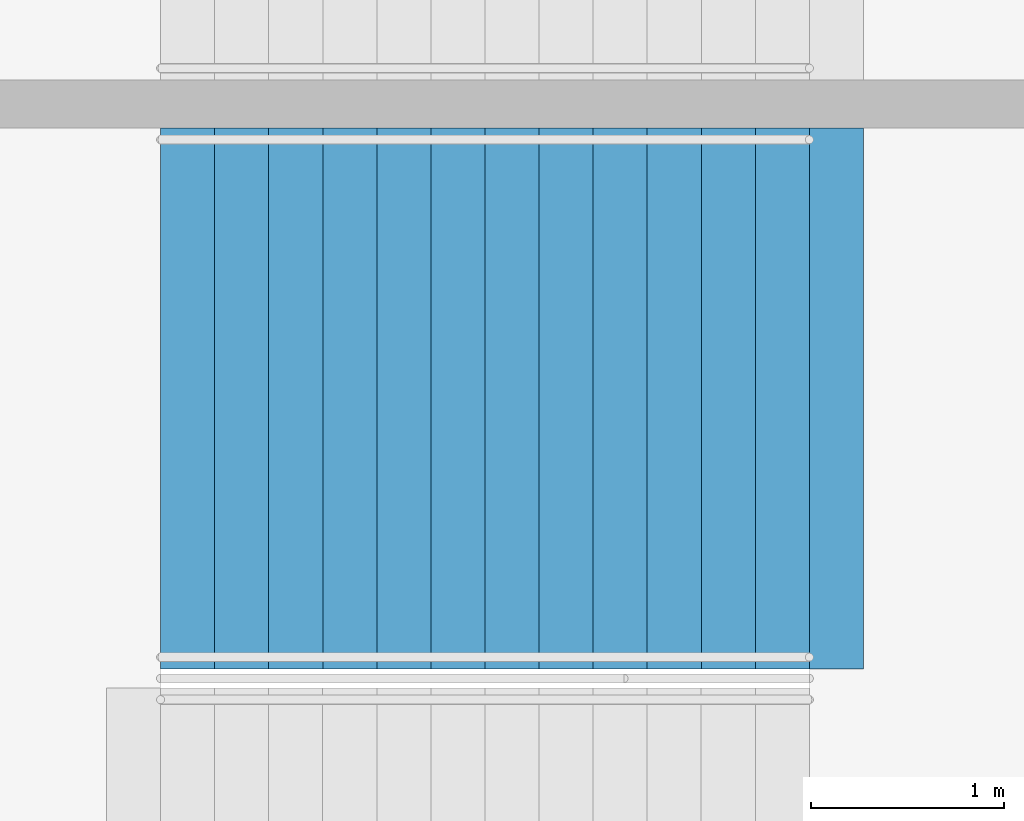
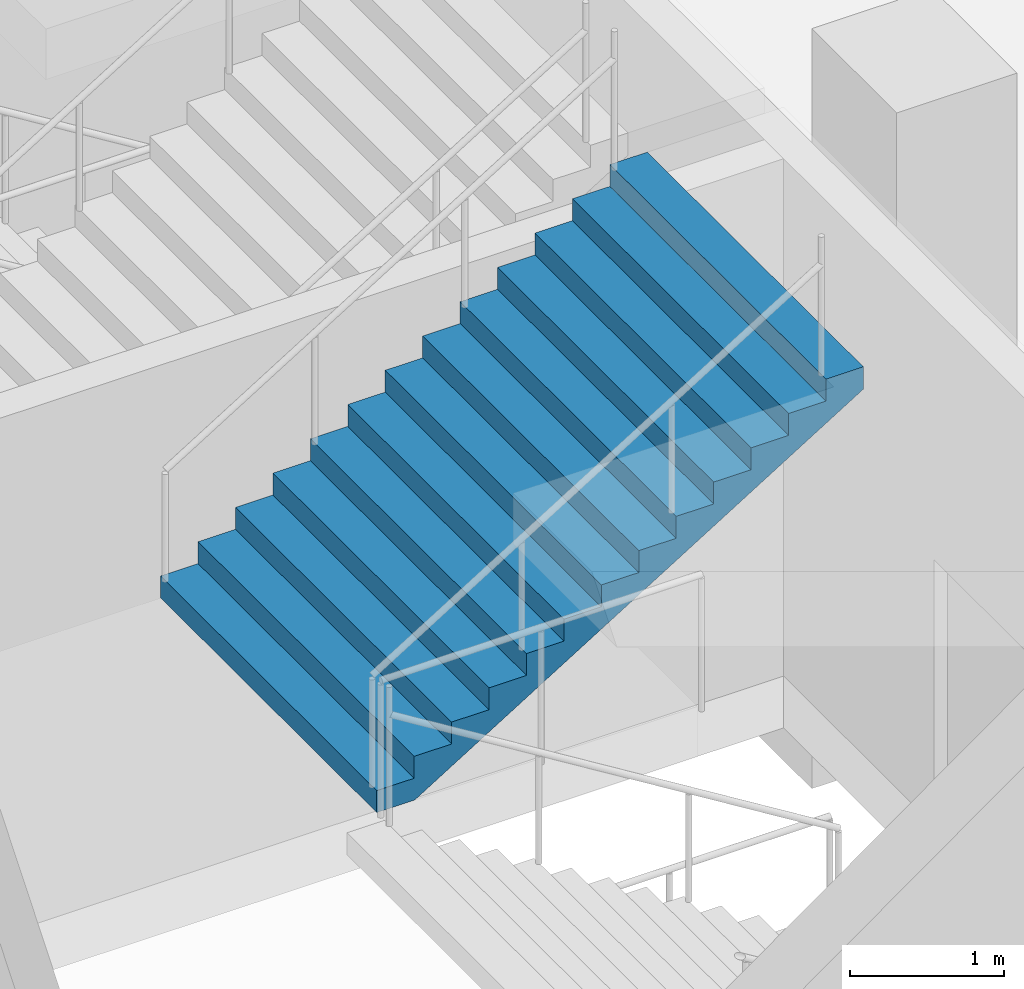
# One storey, part 128 of 199: 1 stair flight, 1 element without a shape of its own.
"""IFC4 building model written with IfcOpenShell, lengths in metres."""

from ifc_helpers import new_model, si_unit, direction, frame, origin, place, context, subcontext, project, spatial, faceted_brep, material, type_object, element, aggregate, save


model = new_model("IFC4")

# Units and contexts
model_context = context("Model", 3, precision=1e-05, world=origin(), true_north=direction((0.0, 1.0)))
body_context = subcontext(model_context, "Body", "Model", "MODEL_VIEW")
ifc_project = project(units=[si_unit("LENGTHUNIT", "METRE"), si_unit("AREAUNIT", "SQUARE_METRE"), si_unit("VOLUMEUNIT", "CUBIC_METRE"), si_unit("PLANEANGLEUNIT", "RADIAN"), si_unit("MASSUNIT", "GRAM", prefix="KILO")], contexts=[model_context])

# Site, building, storey
site_placement = place(None, origin())
site = spatial("IfcSite", under=ifc_project, at=site_placement, CompositionType="ELEMENT")
building_placement = place(site_placement, origin())
building = spatial("IfcBuilding", under=site, at=building_placement, Name="Ogive Plaza Stadium", CompositionType="ELEMENT")
storey_placement = place(building_placement, frame((0.0, 0.0, 9.0)))
storey = spatial("IfcBuildingStorey", under=building, at=storey_placement, Name="L02", CompositionType="ELEMENT", Elevation=9.0)

# Stair, stair flight
ifc_material_1 = material(Name="Concrete C40/50", Category="concrete")
stair_type = type_object("IfcStairType", Name="Exit stair", PredefinedType="STRAIGHT_RUN_STAIR", material=ifc_material_1)
stair_placement = place(storey_placement, origin())
stair = element("IfcStair", 1, at=stair_placement, inside=storey, type_object=stair_type, Name="Exit stair ST24B L02 to L03", PredefinedType="STRAIGHT_RUN_STAIR")
ifc_material_2 = material(Name="Concrete C40/50", Category="concrete")
stair_flight_type = type_object("IfcStairFlightType", Name="Exit stair flight", PredefinedType="STRAIGHT", material=ifc_material_2)
stair_flight_placement = place(storey_placement, frame((-79.7099609375, -9.02490234375, 2.25), z_axis=(0.0, 0.0, 1.0), x_axis=(1.0, 0.0, 0.0)))
stair_flight = element("IfcStairFlight", 2, at=stair_flight_placement, type_object=stair_flight_type, Name="ST24B flight 2", NumberOfRisers=13, NumberOfTreads=12, PredefinedType="STRAIGHT", RiserHeight=0.173076923, TreadLength=0.28, context=body_context, shape_type="Brep", body=[
    faceted_brep([(0.28515625, -1.39990234375, 0.0), (3.639892578125, -1.39990234375, 2.07373046875), (3.639892578125, -1.39990234375, 2.25), (3.360107421875, -1.39990234375, 2.25), (3.360107421875, -1.39990234375, 2.076904296875), (3.080078125, -1.39990234375, 2.076904296875), (3.080078125, -1.39990234375, 1.90380859375), (2.800048828125, -1.39990234375, 1.90380859375), (2.800048828125, -1.39990234375, 1.730712890625), (2.52001953125, -1.39990234375, 1.730712890625), (2.52001953125, -1.39990234375, 1.5576171875), (2.239990234375, -1.39990234375, 1.5576171875), (2.239990234375, -1.39990234375, 1.384521484375), (1.9599609375, -1.39990234375, 1.384521484375), (1.9599609375, -1.39990234375, 1.21142578125), (1.679931640625, -1.39990234375, 1.21142578125), (1.679931640625, -1.39990234375, 1.03857421875), (1.39990234375, -1.39990234375, 1.03857421875), (1.39990234375, -1.39990234375, 0.865478515625), (1.1201171875, -1.39990234375, 0.865478515625), (1.1201171875, -1.39990234375, 0.6923828125), (0.840087890625, -1.39990234375, 0.6923828125), (0.840087890625, -1.39990234375, 0.519287109375), (0.56005859375, -1.39990234375, 0.519287109375), (0.56005859375, -1.39990234375, 0.34619140625), (0.280029296875, -1.39990234375, 0.34619140625), (0.280029296875, -1.39990234375, 0.173095703125), (0.0, -1.39990234375, 0.173095703125), (0.0, -1.39990234375, 0.0), (0.0, 1.39990234375, 0.0), (0.0, 1.39990234375, 0.173095703125), (0.280029296875, 1.39990234375, 0.173095703125), (0.280029296875, 1.39990234375, 0.34619140625), (0.56005859375, 1.39990234375, 0.34619140625), (0.56005859375, 1.39990234375, 0.519287109375), (0.840087890625, 1.39990234375, 0.519287109375), (0.840087890625, 1.39990234375, 0.6923828125), (1.1201171875, 1.39990234375, 0.6923828125), (1.1201171875, 1.39990234375, 0.865478515625), (1.39990234375, 1.39990234375, 0.865478515625), (1.39990234375, 1.39990234375, 1.03857421875), (1.679931640625, 1.39990234375, 1.03857421875), (1.679931640625, 1.39990234375, 1.21142578125), (1.9599609375, 1.39990234375, 1.21142578125), (1.9599609375, 1.39990234375, 1.384521484375), (2.239990234375, 1.39990234375, 1.384521484375), (2.239990234375, 1.39990234375, 1.5576171875), (2.52001953125, 1.39990234375, 1.5576171875), (2.52001953125, 1.39990234375, 1.730712890625), (2.800048828125, 1.39990234375, 1.730712890625), (2.800048828125, 1.39990234375, 1.90380859375), (3.080078125, 1.39990234375, 1.90380859375), (3.080078125, 1.39990234375, 2.076904296875), (3.360107421875, 1.39990234375, 2.076904296875), (3.360107421875, 1.39990234375, 2.25), (3.639892578125, 1.39990234375, 2.25), (3.639892578125, 1.39990234375, 2.07373046875), (0.28515625, 1.39990234375, 0.0), (0.28515625, -1.0888671875, 0.0), (3.639892578125, -1.0888671875, 2.07373046875), (0.28515625, -0.77783203125, 0.0), (3.639892578125, -0.77783203125, 2.07373046875), (0.28515625, -0.466796875, 0.0), (3.639892578125, -0.466796875, 2.07373046875), (0.28515625, -0.155517578125, 0.0), (3.639892578125, -0.155517578125, 2.07373046875), (0.28515625, 0.155517578125, 0.0), (3.639892578125, 0.155517578125, 2.07373046875), (0.28515625, 0.466796875, 0.0), (3.639892578125, 0.466796875, 2.07373046875), (0.28515625, 0.77783203125, 0.0), (3.639892578125, 0.77783203125, 2.07373046875), (0.28515625, 1.0888671875, 0.0), (3.639892578125, 1.0888671875, 2.07373046875), (3.639892578125, -1.0888671875, 2.25), (3.639892578125, -0.77783203125, 2.25), (3.639892578125, -0.466796875, 2.25), (3.639892578125, -0.155517578125, 2.25), (3.639892578125, 0.155517578125, 2.25), (3.639892578125, 0.466796875, 2.25), (3.639892578125, 0.77783203125, 2.25), (3.639892578125, 1.0888671875, 2.25), (3.360107421875, -1.0888671875, 2.25), (3.360107421875, -0.77783203125, 2.25), (3.360107421875, -0.466796875, 2.25), (3.360107421875, -0.155517578125, 2.25), (3.360107421875, 0.155517578125, 2.25), (3.360107421875, 0.466796875, 2.25), (3.360107421875, 0.77783203125, 2.25), (3.360107421875, 1.0888671875, 2.25), (3.360107421875, -1.0888671875, 2.076904296875), (3.360107421875, -0.77783203125, 2.076904296875), (3.360107421875, -0.466796875, 2.076904296875), (3.360107421875, -0.155517578125, 2.076904296875), (3.360107421875, 0.155517578125, 2.076904296875), (3.360107421875, 0.466796875, 2.076904296875), (3.360107421875, 0.77783203125, 2.076904296875), (3.360107421875, 1.0888671875, 2.076904296875), (3.080078125, -1.0888671875, 2.076904296875), (3.080078125, -0.77783203125, 2.076904296875), (3.080078125, -0.466796875, 2.076904296875), (3.080078125, -0.155517578125, 2.076904296875), (3.080078125, 0.155517578125, 2.076904296875), (3.080078125, 0.466796875, 2.076904296875), (3.080078125, 0.77783203125, 2.076904296875), (3.080078125, 1.0888671875, 2.076904296875), (3.080078125, -1.0888671875, 1.90380859375), (3.080078125, -0.77783203125, 1.90380859375), (3.080078125, -0.466796875, 1.90380859375), (3.080078125, -0.155517578125, 1.90380859375), (3.080078125, 0.155517578125, 1.90380859375), (3.080078125, 0.466796875, 1.90380859375), (3.080078125, 0.77783203125, 1.90380859375), (3.080078125, 1.0888671875, 1.90380859375), (2.800048828125, -1.0888671875, 1.90380859375), (2.800048828125, -0.77783203125, 1.90380859375), (2.800048828125, -0.466796875, 1.90380859375), (2.800048828125, -0.155517578125, 1.90380859375), (2.800048828125, 0.155517578125, 1.90380859375), (2.800048828125, 0.466796875, 1.90380859375), (2.800048828125, 0.77783203125, 1.90380859375), (2.800048828125, 1.0888671875, 1.90380859375), (2.800048828125, -1.0888671875, 1.730712890625), (2.800048828125, -0.77783203125, 1.730712890625), (2.800048828125, -0.466796875, 1.730712890625), (2.800048828125, -0.155517578125, 1.730712890625), (2.800048828125, 0.155517578125, 1.730712890625), (2.800048828125, 0.466796875, 1.730712890625), (2.800048828125, 0.77783203125, 1.730712890625), (2.800048828125, 1.0888671875, 1.730712890625), (2.52001953125, -1.0888671875, 1.730712890625), (2.52001953125, -0.77783203125, 1.730712890625), (2.52001953125, -0.466796875, 1.730712890625), (2.52001953125, -0.155517578125, 1.730712890625), (2.52001953125, 0.155517578125, 1.730712890625), (2.52001953125, 0.466796875, 1.730712890625), (2.52001953125, 0.77783203125, 1.730712890625), (2.52001953125, 1.0888671875, 1.730712890625), (2.52001953125, -1.0888671875, 1.5576171875), (2.52001953125, -0.77783203125, 1.5576171875), (2.52001953125, -0.466796875, 1.5576171875), (2.52001953125, -0.155517578125, 1.5576171875), (2.52001953125, 0.155517578125, 1.5576171875), (2.52001953125, 0.466796875, 1.5576171875), (2.52001953125, 0.77783203125, 1.5576171875), (2.52001953125, 1.0888671875, 1.5576171875), (2.239990234375, -1.0888671875, 1.5576171875), (2.239990234375, -0.77783203125, 1.5576171875), (2.239990234375, -0.466796875, 1.5576171875), (2.239990234375, -0.155517578125, 1.5576171875), (2.239990234375, 0.155517578125, 1.5576171875), (2.239990234375, 0.466796875, 1.5576171875), (2.239990234375, 0.77783203125, 1.5576171875), (2.239990234375, 1.0888671875, 1.5576171875), (2.239990234375, -1.0888671875, 1.384521484375), (2.239990234375, -0.77783203125, 1.384521484375), (2.239990234375, -0.466796875, 1.384521484375), (2.239990234375, -0.155517578125, 1.384521484375), (2.239990234375, 0.155517578125, 1.384521484375), (2.239990234375, 0.466796875, 1.384521484375), (2.239990234375, 0.77783203125, 1.384521484375), (2.239990234375, 1.0888671875, 1.384521484375), (1.9599609375, -1.0888671875, 1.384521484375), (1.9599609375, -0.77783203125, 1.384521484375), (1.9599609375, -0.466796875, 1.384521484375), (1.9599609375, -0.155517578125, 1.384521484375), (1.9599609375, 0.155517578125, 1.384521484375), (1.9599609375, 0.466796875, 1.384521484375), (1.9599609375, 0.77783203125, 1.384521484375), (1.9599609375, 1.0888671875, 1.384521484375), (1.9599609375, -1.0888671875, 1.21142578125), (1.9599609375, -0.77783203125, 1.21142578125), (1.9599609375, -0.466796875, 1.21142578125), (1.9599609375, -0.155517578125, 1.21142578125), (1.9599609375, 0.155517578125, 1.21142578125), (1.9599609375, 0.466796875, 1.21142578125), (1.9599609375, 0.77783203125, 1.21142578125), (1.9599609375, 1.0888671875, 1.21142578125), (1.679931640625, -1.0888671875, 1.21142578125), (1.679931640625, -0.77783203125, 1.21142578125), (1.679931640625, -0.466796875, 1.21142578125), (1.679931640625, -0.155517578125, 1.21142578125), (1.679931640625, 0.155517578125, 1.21142578125), (1.679931640625, 0.466796875, 1.21142578125), (1.679931640625, 0.77783203125, 1.21142578125), (1.679931640625, 1.0888671875, 1.21142578125), (1.679931640625, -1.0888671875, 1.03857421875), (1.679931640625, -0.77783203125, 1.03857421875), (1.679931640625, -0.466796875, 1.03857421875), (1.679931640625, -0.155517578125, 1.03857421875), (1.679931640625, 0.155517578125, 1.03857421875), (1.679931640625, 0.466796875, 1.03857421875), (1.679931640625, 0.77783203125, 1.03857421875), (1.679931640625, 1.0888671875, 1.03857421875), (1.39990234375, -1.0888671875, 1.03857421875), (1.39990234375, -0.77783203125, 1.03857421875), (1.39990234375, -0.466796875, 1.03857421875), (1.39990234375, -0.155517578125, 1.03857421875), (1.39990234375, 0.155517578125, 1.03857421875), (1.39990234375, 0.466796875, 1.03857421875), (1.39990234375, 0.77783203125, 1.03857421875), (1.39990234375, 1.0888671875, 1.03857421875), (1.39990234375, -1.0888671875, 0.865478515625), (1.39990234375, -0.77783203125, 0.865478515625), (1.39990234375, -0.466796875, 0.865478515625), (1.39990234375, -0.155517578125, 0.865478515625), (1.39990234375, 0.155517578125, 0.865478515625), (1.39990234375, 0.466796875, 0.865478515625), (1.39990234375, 0.77783203125, 0.865478515625), (1.39990234375, 1.0888671875, 0.865478515625), (1.1201171875, -1.0888671875, 0.865478515625), (1.1201171875, -0.77783203125, 0.865478515625), (1.1201171875, -0.466796875, 0.865478515625), (1.1201171875, -0.155517578125, 0.865478515625), (1.1201171875, 0.155517578125, 0.865478515625), (1.1201171875, 0.466796875, 0.865478515625), (1.1201171875, 0.77783203125, 0.865478515625), (1.1201171875, 1.0888671875, 0.865478515625), (1.1201171875, -1.0888671875, 0.6923828125), (1.1201171875, -0.77783203125, 0.6923828125), (1.1201171875, -0.466796875, 0.6923828125), (1.1201171875, -0.155517578125, 0.6923828125), (1.1201171875, 0.155517578125, 0.6923828125), (1.1201171875, 0.466796875, 0.6923828125), (1.1201171875, 0.77783203125, 0.6923828125), (1.1201171875, 1.0888671875, 0.6923828125), (0.840087890625, -1.0888671875, 0.6923828125), (0.840087890625, -0.77783203125, 0.6923828125), (0.840087890625, -0.466796875, 0.6923828125), (0.840087890625, -0.155517578125, 0.6923828125), (0.840087890625, 0.155517578125, 0.6923828125), (0.840087890625, 0.466796875, 0.6923828125), (0.840087890625, 0.77783203125, 0.6923828125), (0.840087890625, 1.0888671875, 0.6923828125), (0.840087890625, -1.0888671875, 0.519287109375), (0.840087890625, -0.77783203125, 0.519287109375), (0.840087890625, -0.466796875, 0.519287109375), (0.840087890625, -0.155517578125, 0.519287109375), (0.840087890625, 0.155517578125, 0.519287109375), (0.840087890625, 0.466796875, 0.519287109375), (0.840087890625, 0.77783203125, 0.519287109375), (0.840087890625, 1.0888671875, 0.519287109375), (0.56005859375, -1.0888671875, 0.519287109375), (0.56005859375, -0.77783203125, 0.519287109375), (0.56005859375, -0.466796875, 0.519287109375), (0.56005859375, -0.155517578125, 0.519287109375), (0.56005859375, 0.155517578125, 0.519287109375), (0.56005859375, 0.466796875, 0.519287109375), (0.56005859375, 0.77783203125, 0.519287109375), (0.56005859375, 1.0888671875, 0.519287109375), (0.56005859375, -1.0888671875, 0.34619140625), (0.56005859375, -0.77783203125, 0.34619140625), (0.56005859375, -0.466796875, 0.34619140625), (0.56005859375, -0.155517578125, 0.34619140625), (0.56005859375, 0.155517578125, 0.34619140625), (0.56005859375, 0.466796875, 0.34619140625), (0.56005859375, 0.77783203125, 0.34619140625), (0.56005859375, 1.0888671875, 0.34619140625), (0.280029296875, -1.0888671875, 0.34619140625), (0.280029296875, -0.77783203125, 0.34619140625), (0.280029296875, -0.466796875, 0.34619140625), (0.280029296875, -0.155517578125, 0.34619140625), (0.280029296875, 0.155517578125, 0.34619140625), (0.280029296875, 0.466796875, 0.34619140625), (0.280029296875, 0.77783203125, 0.34619140625), (0.280029296875, 1.0888671875, 0.34619140625), (0.280029296875, -1.0888671875, 0.173095703125), (0.280029296875, -0.77783203125, 0.173095703125), (0.280029296875, -0.466796875, 0.173095703125), (0.280029296875, -0.155517578125, 0.173095703125), (0.280029296875, 0.155517578125, 0.173095703125), (0.280029296875, 0.466796875, 0.173095703125), (0.280029296875, 0.77783203125, 0.173095703125), (0.280029296875, 1.0888671875, 0.173095703125), (0.0, -1.0888671875, 0.173095703125), (0.0, -0.77783203125, 0.173095703125), (0.0, -0.466796875, 0.173095703125), (0.0, -0.155517578125, 0.173095703125), (0.0, 0.155517578125, 0.173095703125), (0.0, 0.466796875, 0.173095703125), (0.0, 0.77783203125, 0.173095703125), (0.0, 1.0888671875, 0.173095703125), (0.0, -1.0888671875, 0.0), (0.0, -0.77783203125, 0.0), (0.0, -0.466796875, 0.0), (0.0, -0.155517578125, 0.0), (0.0, 0.155517578125, 0.0), (0.0, 0.466796875, 0.0), (0.0, 0.77783203125, 0.0), (0.0, 1.0888671875, 0.0)], [[[0, 1, 2, 3, 4, 5, 6, 7, 8, 9, 10, 11, 12, 13, 14, 15, 16, 17, 18, 19, 20, 21, 22, 23, 24, 25, 26, 27, 28]], [[29, 30, 31, 32, 33, 34, 35, 36, 37, 38, 39, 40, 41, 42, 43, 44, 45, 46, 47, 48, 49, 50, 51, 52, 53, 54, 55, 56, 57]], [[0, 58, 59, 1]], [[58, 60, 61, 59]], [[60, 62, 63, 61]], [[62, 64, 65, 63]], [[64, 66, 67, 65]], [[66, 68, 69, 67]], [[68, 70, 71, 69]], [[70, 72, 73, 71]], [[72, 57, 56, 73]], [[1, 59, 74, 2]], [[59, 61, 75, 74]], [[61, 63, 76, 75]], [[63, 65, 77, 76]], [[65, 67, 78, 77]], [[67, 69, 79, 78]], [[69, 71, 80, 79]], [[71, 73, 81, 80]], [[73, 56, 55, 81]], [[2, 74, 82, 3]], [[74, 75, 83, 82]], [[75, 76, 84, 83]], [[76, 77, 85, 84]], [[77, 78, 86, 85]], [[78, 79, 87, 86]], [[79, 80, 88, 87]], [[80, 81, 89, 88]], [[81, 55, 54, 89]], [[3, 82, 90, 4]], [[82, 83, 91, 90]], [[83, 84, 92, 91]], [[84, 85, 93, 92]], [[85, 86, 94, 93]], [[86, 87, 95, 94]], [[87, 88, 96, 95]], [[88, 89, 97, 96]], [[89, 54, 53, 97]], [[4, 90, 98, 5]], [[90, 91, 99, 98]], [[91, 92, 100, 99]], [[92, 93, 101, 100]], [[93, 94, 102, 101]], [[94, 95, 103, 102]], [[95, 96, 104, 103]], [[96, 97, 105, 104]], [[97, 53, 52, 105]], [[5, 98, 106, 6]], [[98, 99, 107, 106]], [[99, 100, 108, 107]], [[100, 101, 109, 108]], [[101, 102, 110, 109]], [[102, 103, 111, 110]], [[103, 104, 112, 111]], [[104, 105, 113, 112]], [[105, 52, 51, 113]], [[6, 106, 114, 7]], [[106, 107, 115, 114]], [[107, 108, 116, 115]], [[108, 109, 117, 116]], [[109, 110, 118, 117]], [[110, 111, 119, 118]], [[111, 112, 120, 119]], [[112, 113, 121, 120]], [[113, 51, 50, 121]], [[7, 114, 122, 8]], [[114, 115, 123, 122]], [[115, 116, 124, 123]], [[116, 117, 125, 124]], [[117, 118, 126, 125]], [[118, 119, 127, 126]], [[119, 120, 128, 127]], [[120, 121, 129, 128]], [[121, 50, 49, 129]], [[8, 122, 130, 9]], [[122, 123, 131, 130]], [[123, 124, 132, 131]], [[124, 125, 133, 132]], [[125, 126, 134, 133]], [[126, 127, 135, 134]], [[127, 128, 136, 135]], [[128, 129, 137, 136]], [[129, 49, 48, 137]], [[9, 130, 138, 10]], [[130, 131, 139, 138]], [[131, 132, 140, 139]], [[132, 133, 141, 140]], [[133, 134, 142, 141]], [[134, 135, 143, 142]], [[135, 136, 144, 143]], [[136, 137, 145, 144]], [[137, 48, 47, 145]], [[10, 138, 146, 11]], [[138, 139, 147, 146]], [[139, 140, 148, 147]], [[140, 141, 149, 148]], [[141, 142, 150, 149]], [[142, 143, 151, 150]], [[143, 144, 152, 151]], [[144, 145, 153, 152]], [[145, 47, 46, 153]], [[11, 146, 154, 12]], [[146, 147, 155, 154]], [[147, 148, 156, 155]], [[148, 149, 157, 156]], [[149, 150, 158, 157]], [[150, 151, 159, 158]], [[151, 152, 160, 159]], [[152, 153, 161, 160]], [[153, 46, 45, 161]], [[12, 154, 162, 13]], [[154, 155, 163, 162]], [[155, 156, 164, 163]], [[156, 157, 165, 164]], [[157, 158, 166, 165]], [[158, 159, 167, 166]], [[159, 160, 168, 167]], [[160, 161, 169, 168]], [[161, 45, 44, 169]], [[13, 162, 170, 14]], [[162, 163, 171, 170]], [[163, 164, 172, 171]], [[164, 165, 173, 172]], [[165, 166, 174, 173]], [[166, 167, 175, 174]], [[167, 168, 176, 175]], [[168, 169, 177, 176]], [[169, 44, 43, 177]], [[14, 170, 178, 15]], [[170, 171, 179, 178]], [[171, 172, 180, 179]], [[172, 173, 181, 180]], [[173, 174, 182, 181]], [[174, 175, 183, 182]], [[175, 176, 184, 183]], [[176, 177, 185, 184]], [[177, 43, 42, 185]], [[15, 178, 186, 16]], [[178, 179, 187, 186]], [[179, 180, 188, 187]], [[180, 181, 189, 188]], [[181, 182, 190, 189]], [[182, 183, 191, 190]], [[183, 184, 192, 191]], [[184, 185, 193, 192]], [[185, 42, 41, 193]], [[16, 186, 194, 17]], [[186, 187, 195, 194]], [[187, 188, 196, 195]], [[188, 189, 197, 196]], [[189, 190, 198, 197]], [[190, 191, 199, 198]], [[191, 192, 200, 199]], [[192, 193, 201, 200]], [[193, 41, 40, 201]], [[17, 194, 202, 18]], [[194, 195, 203, 202]], [[195, 196, 204, 203]], [[196, 197, 205, 204]], [[197, 198, 206, 205]], [[198, 199, 207, 206]], [[199, 200, 208, 207]], [[200, 201, 209, 208]], [[201, 40, 39, 209]], [[18, 202, 210, 19]], [[202, 203, 211, 210]], [[203, 204, 212, 211]], [[204, 205, 213, 212]], [[205, 206, 214, 213]], [[206, 207, 215, 214]], [[207, 208, 216, 215]], [[208, 209, 217, 216]], [[209, 39, 38, 217]], [[19, 210, 218, 20]], [[210, 211, 219, 218]], [[211, 212, 220, 219]], [[212, 213, 221, 220]], [[213, 214, 222, 221]], [[214, 215, 223, 222]], [[215, 216, 224, 223]], [[216, 217, 225, 224]], [[217, 38, 37, 225]], [[20, 218, 226, 21]], [[218, 219, 227, 226]], [[219, 220, 228, 227]], [[220, 221, 229, 228]], [[221, 222, 230, 229]], [[222, 223, 231, 230]], [[223, 224, 232, 231]], [[224, 225, 233, 232]], [[225, 37, 36, 233]], [[21, 226, 234, 22]], [[226, 227, 235, 234]], [[227, 228, 236, 235]], [[228, 229, 237, 236]], [[229, 230, 238, 237]], [[230, 231, 239, 238]], [[231, 232, 240, 239]], [[232, 233, 241, 240]], [[233, 36, 35, 241]], [[22, 234, 242, 23]], [[234, 235, 243, 242]], [[235, 236, 244, 243]], [[236, 237, 245, 244]], [[237, 238, 246, 245]], [[238, 239, 247, 246]], [[239, 240, 248, 247]], [[240, 241, 249, 248]], [[241, 35, 34, 249]], [[23, 242, 250, 24]], [[242, 243, 251, 250]], [[243, 244, 252, 251]], [[244, 245, 253, 252]], [[245, 246, 254, 253]], [[246, 247, 255, 254]], [[247, 248, 256, 255]], [[248, 249, 257, 256]], [[249, 34, 33, 257]], [[24, 250, 258, 25]], [[250, 251, 259, 258]], [[251, 252, 260, 259]], [[252, 253, 261, 260]], [[253, 254, 262, 261]], [[254, 255, 263, 262]], [[255, 256, 264, 263]], [[256, 257, 265, 264]], [[257, 33, 32, 265]], [[25, 258, 266, 26]], [[258, 259, 267, 266]], [[259, 260, 268, 267]], [[260, 261, 269, 268]], [[261, 262, 270, 269]], [[262, 263, 271, 270]], [[263, 264, 272, 271]], [[264, 265, 273, 272]], [[265, 32, 31, 273]], [[26, 266, 274, 27]], [[266, 267, 275, 274]], [[267, 268, 276, 275]], [[268, 269, 277, 276]], [[269, 270, 278, 277]], [[270, 271, 279, 278]], [[271, 272, 280, 279]], [[272, 273, 281, 280]], [[273, 31, 30, 281]], [[27, 274, 282, 28]], [[274, 275, 283, 282]], [[275, 276, 284, 283]], [[276, 277, 285, 284]], [[277, 278, 286, 285]], [[278, 279, 287, 286]], [[279, 280, 288, 287]], [[280, 281, 289, 288]], [[281, 30, 29, 289]], [[28, 282, 58, 0]], [[282, 283, 60, 58]], [[283, 284, 62, 60]], [[284, 285, 64, 62]], [[285, 286, 66, 64]], [[286, 287, 68, 66]], [[287, 288, 70, 68]], [[288, 289, 72, 70]], [[289, 29, 57, 72]]]),
])
aggregate(stair, [stair_flight])

save(model, "model.ifc")
